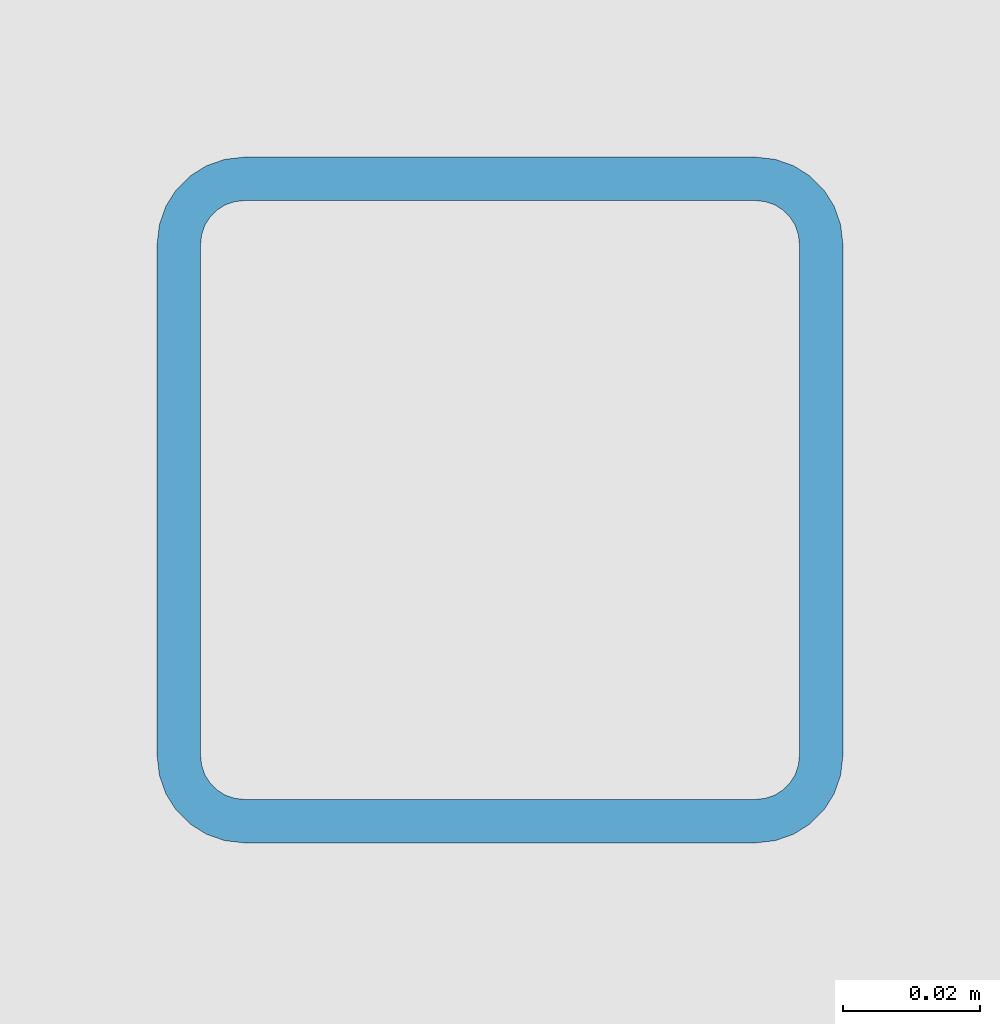
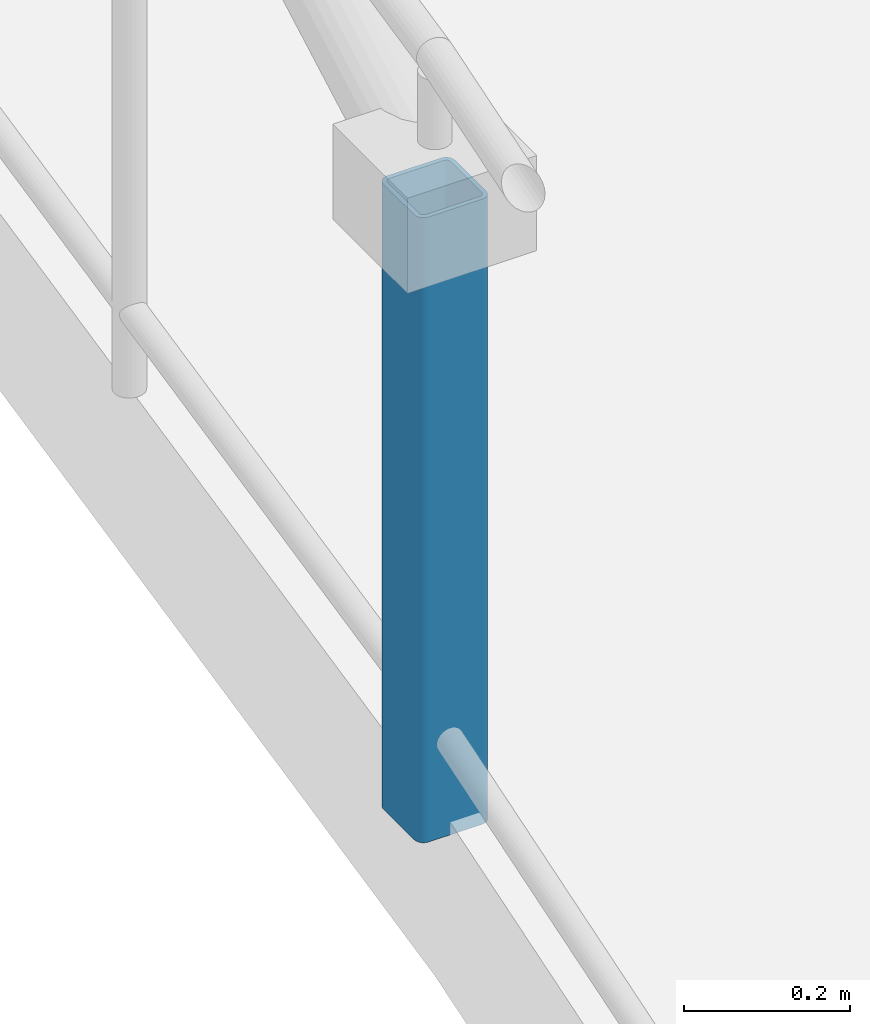
# One storey, part 21 of 58: 1 member.
"""IFC4 building model written with IfcOpenShell, lengths in metres."""

from ifc_helpers import new_model, si_unit, direction, frame, origin, origin_2d, place, context, subcontext, project, spatial, hollow_rectangle, extrude, material, material_profile, profile_set, type_object, element, save


model = new_model("IFC4")

# Units and contexts
model_context = context("Model", 3, precision=1e-05, world=origin(), true_north=direction((0.0, 1.0)))
body_context = subcontext(model_context, "Body", "Model", "MODEL_VIEW")
ifc_project = project(units=[si_unit("LENGTHUNIT", "METRE"), si_unit("AREAUNIT", "SQUARE_METRE"), si_unit("VOLUMEUNIT", "CUBIC_METRE"), si_unit("PLANEANGLEUNIT", "RADIAN"), si_unit("MASSUNIT", "GRAM", prefix="KILO"), si_unit("POWERUNIT", "WATT"), si_unit("THERMODYNAMICTEMPERATUREUNIT", "KELVIN")], contexts=[model_context])

# Site, building, storey
site_placement = place(None, origin())
site = spatial("IfcSite", under=ifc_project, at=site_placement, CompositionType="ELEMENT")
building_placement = place(site_placement, origin())
building = spatial("IfcBuilding", under=site, at=building_placement, Name="Ruvembo Vaulted Housing Court", CompositionType="ELEMENT")
storey_placement = place(building_placement, frame((0.0, 0.0, 20.5)))
storey = spatial("IfcBuildingStorey", under=building, at=storey_placement, Name="L06", CompositionType="ELEMENT", Elevation=20.5)

# Member
ifc_material = material(Name="Steel S355J2", Category="steel")
ifc_material_profile = material_profile(ifc_material, hollow_rectangle(XDim=0.10009765625, YDim=0.10009765625, WallThickness=0.00634765625, InnerFilletRadius=0.00634765625, OuterFilletRadius=0.0126953125, at=origin_2d()), Name="SHS 100x100x6.3")
ifc_profile_set = profile_set([ifc_material_profile], Name="Steel S355J2")
member_type = type_object("IfcMemberType", Name="MEM-FRM-SHS100", PredefinedType="STRUT", material=ifc_profile_set)
member_placement = place(storey_placement, frame((47.344482421875, 67.556884765625, -0.02001953125), z_axis=(0.0, 0.0, 1.0), x_axis=(1.0, 0.0, 0.0)))
element("IfcMember", 1, at=member_placement, inside=storey, type_object=member_type, Name="Scoop SC1 L06 Upswept Post 15A", PredefinedType="STRUT", context=body_context, shape_type="SweptSolid", body=[
    extrude(hollow_rectangle(XDim=0.10009765625, YDim=0.10009765625, WallThickness=0.00634765625, InnerFilletRadius=0.00634765625, OuterFilletRadius=0.0126953125, at=origin_2d()), origin(), (0.0, 0.0, 1.0), 0.919921875),
])

save(model, "model.ifc")
